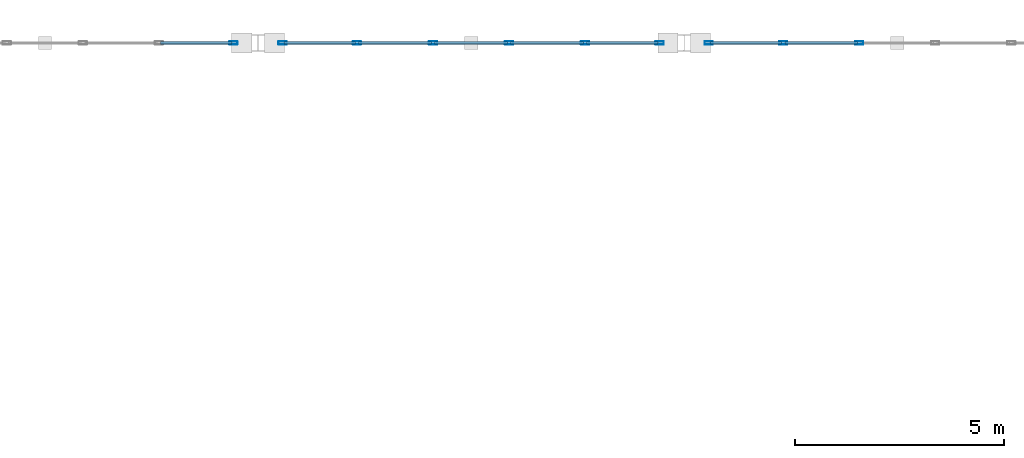
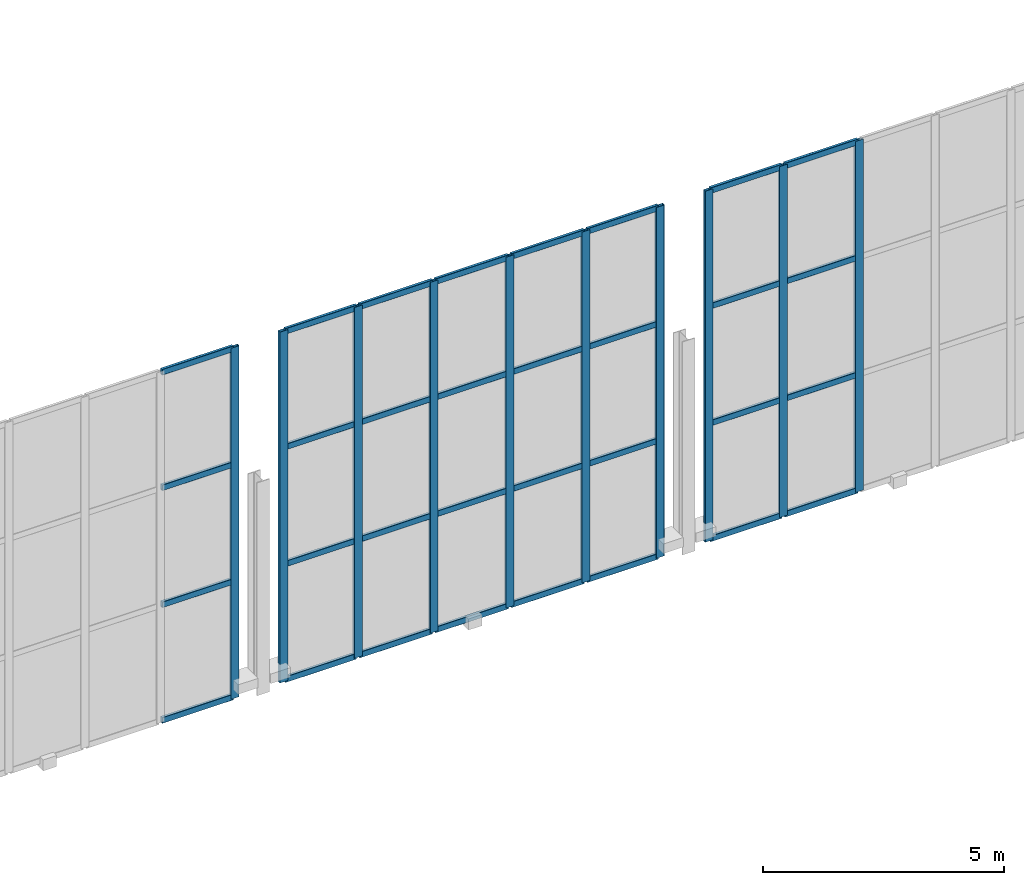
# One storey, part 98 of 175: 42 members, 3 elements without a shape of their own.
"""IFC4 building model written with IfcOpenShell, lengths in metres."""

from ifc_helpers import new_model, si_unit, direction, frame, origin, origin_2d, place, context, subcontext, project, spatial, hollow_rectangle, extrude, material, material_profile, profile_set, type_object, element, aggregate, save


model = new_model("IFC4")

# Units and contexts
model_context = context("Model", 3, precision=1e-05, world=origin(), true_north=direction((0.0, 1.0)))
body_context = subcontext(model_context, "Body", "Model", "MODEL_VIEW")
ifc_project = project(units=[si_unit("LENGTHUNIT", "METRE"), si_unit("AREAUNIT", "SQUARE_METRE"), si_unit("VOLUMEUNIT", "CUBIC_METRE"), si_unit("PLANEANGLEUNIT", "RADIAN"), si_unit("MASSUNIT", "GRAM", prefix="KILO")], contexts=[model_context])

# Site, building, storey
site_placement = place(None, origin())
site = spatial("IfcSite", under=ifc_project, at=site_placement, CompositionType="ELEMENT")
building_placement = place(site_placement, origin())
building = spatial("IfcBuilding", under=site, at=building_placement, Name="Brelvane Convention Centre", CompositionType="ELEMENT")
storey_placement = place(building_placement, frame((0.0, 0.0, 5.39990234375)))
storey = spatial("IfcBuildingStorey", under=building, at=storey_placement, Name="L01", CompositionType="ELEMENT", Elevation=5.39990234375)

# Curtain wall, member
ifc_material_1 = material(Name="Anodised Aluminium Alloy 6063-T6", Category="aluminium")
curtain_wall_type = type_object("IfcCurtainWallType", Name="Curtain Wall CW-BALL", PredefinedType="USERDEFINED", material=ifc_material_1)
curtain_wall_1_placement = place(storey_placement, origin())
curtain_wall_1 = element("IfcCurtainWall", 1, at=curtain_wall_1_placement, inside=storey, type_object=curtain_wall_type, Name="Curtain Wall CW-BALL L01-V3N-CW-L01-2", ObjectType="UNITISED", PredefinedType="USERDEFINED")
ifc_material_2 = material(Name="Anodised Aluminium Alloy 6063-T6", Category="aluminium")
ifc_material_profile_1 = material_profile(ifc_material_2, hollow_rectangle(XDim=0.074951171875, YDim=0.199951171875, WallThickness=0.0048828125, InnerFilletRadius=0.0048828125, OuterFilletRadius=0.010009765625, at=origin_2d()), Name="ALU-M 200x75x5.0")
ifc_profile_set_1 = profile_set([ifc_material_profile_1], Name="Anodised Aluminium Alloy 6063-T6")
member_type_1 = type_object("IfcMemberType", Name="Curtain Mullion CW-M2", PredefinedType="MULLION", material=ifc_profile_set_1)
member_1_placement = place(storey_placement, frame((193.21240234375, 144.0, 0.0), z_axis=(0.0, 0.0, 1.0), x_axis=(0.0, 1.0, 0.0)))
member_1 = element("IfcMember", 2, at=member_1_placement, type_object=member_type_1, Name="CW-BALL mullion 6", PredefinedType="MULLION", context=body_context, shape_type="SweptSolid", body=[
    extrude(hollow_rectangle(XDim=0.074951171875, YDim=0.199951171875, WallThickness=0.0048828125, InnerFilletRadius=0.0048828125, OuterFilletRadius=0.010009765625, at=origin_2d()), origin(), (0.0, 0.0, 1.0), 8.900146484375),
])

# Curtain wall, members
curtain_wall_2_placement = place(storey_placement, origin())
curtain_wall_2 = element("IfcCurtainWall", 3, at=curtain_wall_2_placement, inside=storey, type_object=curtain_wall_type, Name="Curtain Wall CW-BALL L01-V3N-CW-L01-3", ObjectType="UNITISED", PredefinedType="USERDEFINED")
member_2_placement = place(storey_placement, frame((194.387451171875, 144.0, 0.0), z_axis=(0.0, 0.0, 1.0), x_axis=(0.0, 1.0, 0.0)))
member_2 = element("IfcMember", 4, at=member_2_placement, type_object=member_type_1, Name="CW-BALL mullion 1", PredefinedType="MULLION", context=body_context, shape_type="SweptSolid", body=[
    extrude(hollow_rectangle(XDim=0.074951171875, YDim=0.199951171875, WallThickness=0.0048828125, InnerFilletRadius=0.0048828125, OuterFilletRadius=0.010009765625, at=origin_2d()), origin(), (0.0, 0.0, 1.0), 8.900146484375),
])
member_3_placement = place(storey_placement, frame((196.169921875, 144.0, 0.0), z_axis=(0.0, 0.0, 1.0), x_axis=(0.0, 1.0, 0.0)))
member_3 = element("IfcMember", 5, at=member_3_placement, type_object=member_type_1, Name="CW-BALL mullion 2", PredefinedType="MULLION", context=body_context, shape_type="SweptSolid", body=[
    extrude(hollow_rectangle(XDim=0.074951171875, YDim=0.199951171875, WallThickness=0.0048828125, InnerFilletRadius=0.0048828125, OuterFilletRadius=0.010009765625, at=origin_2d()), origin(), (0.0, 0.0, 1.0), 8.900146484375),
])
member_4_placement = place(storey_placement, frame((197.989990234375, 144.0, 0.0), z_axis=(0.0, 0.0, 1.0), x_axis=(0.0, 1.0, 0.0)))
member_4 = element("IfcMember", 6, at=member_4_placement, type_object=member_type_1, Name="CW-BALL mullion 3", PredefinedType="MULLION", context=body_context, shape_type="SweptSolid", body=[
    extrude(hollow_rectangle(XDim=0.074951171875, YDim=0.199951171875, WallThickness=0.0048828125, InnerFilletRadius=0.0048828125, OuterFilletRadius=0.010009765625, at=origin_2d()), origin(), (0.0, 0.0, 1.0), 8.900146484375),
])
member_5_placement = place(storey_placement, frame((199.81005859375, 144.0, 0.0), z_axis=(0.0, 0.0, 1.0), x_axis=(0.0, 1.0, 0.0)))
member_5 = element("IfcMember", 7, at=member_5_placement, type_object=member_type_1, Name="CW-BALL mullion 4", PredefinedType="MULLION", context=body_context, shape_type="SweptSolid", body=[
    extrude(hollow_rectangle(XDim=0.074951171875, YDim=0.199951171875, WallThickness=0.0048828125, InnerFilletRadius=0.0048828125, OuterFilletRadius=0.010009765625, at=origin_2d()), origin(), (0.0, 0.0, 1.0), 8.900146484375),
])
member_6_placement = place(storey_placement, frame((201.6298828125, 144.0, 0.0), z_axis=(0.0, 0.0, 1.0), x_axis=(0.0, 1.0, 0.0)))
member_6 = element("IfcMember", 8, at=member_6_placement, type_object=member_type_1, Name="CW-BALL mullion 5", PredefinedType="MULLION", context=body_context, shape_type="SweptSolid", body=[
    extrude(hollow_rectangle(XDim=0.074951171875, YDim=0.199951171875, WallThickness=0.0048828125, InnerFilletRadius=0.0048828125, OuterFilletRadius=0.010009765625, at=origin_2d()), origin(), (0.0, 0.0, 1.0), 8.900146484375),
])
member_7_placement = place(storey_placement, frame((203.41259765625, 144.0, 0.0), z_axis=(0.0, 0.0, 1.0), x_axis=(0.0, 1.0, 0.0)))
member_7 = element("IfcMember", 9, at=member_7_placement, type_object=member_type_1, Name="CW-BALL mullion 6", PredefinedType="MULLION", context=body_context, shape_type="SweptSolid", body=[
    extrude(hollow_rectangle(XDim=0.074951171875, YDim=0.199951171875, WallThickness=0.0048828125, InnerFilletRadius=0.0048828125, OuterFilletRadius=0.010009765625, at=origin_2d()), origin(), (0.0, 0.0, 1.0), 8.900146484375),
])

curtain_wall_3_placement = place(storey_placement, origin())
curtain_wall_3 = element("IfcCurtainWall", 10, at=curtain_wall_3_placement, inside=storey, type_object=curtain_wall_type, Name="Curtain Wall CW-BALL L01-V3N-CW-L01-4", ObjectType="UNITISED", PredefinedType="USERDEFINED")
member_8_placement = place(storey_placement, frame((204.58740234375, 144.0, 0.0), z_axis=(0.0, 0.0, 1.0), x_axis=(0.0, 1.0, 0.0)))
member_8 = element("IfcMember", 11, at=member_8_placement, type_object=member_type_1, Name="CW-BALL mullion 1", PredefinedType="MULLION", context=body_context, shape_type="SweptSolid", body=[
    extrude(hollow_rectangle(XDim=0.074951171875, YDim=0.199951171875, WallThickness=0.0048828125, InnerFilletRadius=0.0048828125, OuterFilletRadius=0.010009765625, at=origin_2d()), origin(), (0.0, 0.0, 1.0), 8.900146484375),
])
member_9_placement = place(storey_placement, frame((206.3701171875, 144.0, 0.0), z_axis=(0.0, 0.0, 1.0), x_axis=(0.0, 1.0, 0.0)))
member_9 = element("IfcMember", 12, at=member_9_placement, type_object=member_type_1, Name="CW-BALL mullion 2", PredefinedType="MULLION", context=body_context, shape_type="SweptSolid", body=[
    extrude(hollow_rectangle(XDim=0.074951171875, YDim=0.199951171875, WallThickness=0.0048828125, InnerFilletRadius=0.0048828125, OuterFilletRadius=0.010009765625, at=origin_2d()), origin(), (0.0, 0.0, 1.0), 8.900146484375),
])
member_10_placement = place(storey_placement, frame((208.18994140625, 144.0, 0.0), z_axis=(0.0, 0.0, 1.0), x_axis=(0.0, 1.0, 0.0)))
member_10 = element("IfcMember", 13, at=member_10_placement, type_object=member_type_1, Name="CW-BALL mullion 3", PredefinedType="MULLION", context=body_context, shape_type="SweptSolid", body=[
    extrude(hollow_rectangle(XDim=0.074951171875, YDim=0.199951171875, WallThickness=0.0048828125, InnerFilletRadius=0.0048828125, OuterFilletRadius=0.010009765625, at=origin_2d()), origin(), (0.0, 0.0, 1.0), 8.900146484375),
])

# Member
ifc_material_3 = material(Name="Anodised Aluminium Alloy 6063-T6", Category="aluminium")
ifc_material_profile_2 = material_profile(ifc_material_3, hollow_rectangle(XDim=0.070068359375, YDim=0.14990234375, WallThickness=0.00439453125, InnerFilletRadius=0.00439453125, OuterFilletRadius=0.009033203125, at=origin_2d()), Name="ALU-T 150x70x4.5")
ifc_profile_set_2 = profile_set([ifc_material_profile_2], Name="Anodised Aluminium Alloy 6063-T6")
member_type_2 = type_object("IfcMemberType", Name="Curtain Transom CW-T2", PredefinedType="USERDEFINED", material=ifc_profile_set_2)
member_11_placement = place(storey_placement, frame((191.467529296875, 144.0, 0.03515625), z_axis=(1.0, 0.0, 0.0), x_axis=(0.0, 1.0, 0.0)))
member_11 = element("IfcMember", 14, at=member_11_placement, type_object=member_type_2, Name="CW-BALL transom 5.1", ObjectType="TRANSOM", PredefinedType="USERDEFINED", context=body_context, shape_type="SweptSolid", body=[
    extrude(hollow_rectangle(XDim=0.070068359375, YDim=0.14990234375, WallThickness=0.00439453125, InnerFilletRadius=0.00439453125, OuterFilletRadius=0.009033203125, at=origin_2d()), origin(), (0.0, 0.0, 1.0), 1.70751953125),
])

member_12_placement = place(storey_placement, frame((191.467529296875, 144.0, 2.966796875), z_axis=(1.0, 0.0, 0.0), x_axis=(0.0, 1.0, 0.0)))
member_12 = element("IfcMember", 15, at=member_12_placement, type_object=member_type_2, Name="CW-BALL transom 5.2", ObjectType="TRANSOM", PredefinedType="USERDEFINED", context=body_context, shape_type="SweptSolid", body=[
    extrude(hollow_rectangle(XDim=0.070068359375, YDim=0.14990234375, WallThickness=0.00439453125, InnerFilletRadius=0.00439453125, OuterFilletRadius=0.009033203125, at=origin_2d()), origin(), (0.0, 0.0, 1.0), 1.70751953125),
])

member_13_placement = place(storey_placement, frame((191.467529296875, 144.0, 5.933349609375), z_axis=(1.0, 0.0, 0.0), x_axis=(0.0, 1.0, 0.0)))
member_13 = element("IfcMember", 16, at=member_13_placement, type_object=member_type_2, Name="CW-BALL transom 5.3", ObjectType="TRANSOM", PredefinedType="USERDEFINED", context=body_context, shape_type="SweptSolid", body=[
    extrude(hollow_rectangle(XDim=0.070068359375, YDim=0.14990234375, WallThickness=0.00439453125, InnerFilletRadius=0.00439453125, OuterFilletRadius=0.009033203125, at=origin_2d()), origin(), (0.0, 0.0, 1.0), 1.70751953125),
])

member_14_placement = place(storey_placement, frame((191.467529296875, 144.0, 8.864990234375), z_axis=(1.0, 0.0, 0.0), x_axis=(0.0, 1.0, 0.0)))
member_14 = element("IfcMember", 17, at=member_14_placement, type_object=member_type_2, Name="CW-BALL transom 5.4", ObjectType="TRANSOM", PredefinedType="USERDEFINED", context=body_context, shape_type="SweptSolid", body=[
    extrude(hollow_rectangle(XDim=0.070068359375, YDim=0.14990234375, WallThickness=0.00439453125, InnerFilletRadius=0.00439453125, OuterFilletRadius=0.009033203125, at=origin_2d()), origin(), (0.0, 0.0, 1.0), 1.70751953125),
])

aggregate(curtain_wall_1, [member_1, member_11, member_12, member_13, member_14])

member_15_placement = place(storey_placement, frame((194.425048828125, 144.0, 0.03515625), z_axis=(1.0, 0.0, 0.0), x_axis=(0.0, 1.0, 0.0)))
member_15 = element("IfcMember", 18, at=member_15_placement, type_object=member_type_2, Name="CW-BALL transom 1.1", ObjectType="TRANSOM", PredefinedType="USERDEFINED", context=body_context, shape_type="SweptSolid", body=[
    extrude(hollow_rectangle(XDim=0.070068359375, YDim=0.14990234375, WallThickness=0.00439453125, InnerFilletRadius=0.00439453125, OuterFilletRadius=0.009033203125, at=origin_2d()), origin(), (0.0, 0.0, 1.0), 1.70751953125),
])

member_16_placement = place(storey_placement, frame((194.425048828125, 144.0, 2.966796875), z_axis=(1.0, 0.0, 0.0), x_axis=(0.0, 1.0, 0.0)))
member_16 = element("IfcMember", 19, at=member_16_placement, type_object=member_type_2, Name="CW-BALL transom 1.2", ObjectType="TRANSOM", PredefinedType="USERDEFINED", context=body_context, shape_type="SweptSolid", body=[
    extrude(hollow_rectangle(XDim=0.070068359375, YDim=0.14990234375, WallThickness=0.00439453125, InnerFilletRadius=0.00439453125, OuterFilletRadius=0.009033203125, at=origin_2d()), origin(), (0.0, 0.0, 1.0), 1.70751953125),
])

member_17_placement = place(storey_placement, frame((194.425048828125, 144.0, 5.933349609375), z_axis=(1.0, 0.0, 0.0), x_axis=(0.0, 1.0, 0.0)))
member_17 = element("IfcMember", 20, at=member_17_placement, type_object=member_type_2, Name="CW-BALL transom 1.3", ObjectType="TRANSOM", PredefinedType="USERDEFINED", context=body_context, shape_type="SweptSolid", body=[
    extrude(hollow_rectangle(XDim=0.070068359375, YDim=0.14990234375, WallThickness=0.00439453125, InnerFilletRadius=0.00439453125, OuterFilletRadius=0.009033203125, at=origin_2d()), origin(), (0.0, 0.0, 1.0), 1.70751953125),
])

member_18_placement = place(storey_placement, frame((194.425048828125, 144.0, 8.864990234375), z_axis=(1.0, 0.0, 0.0), x_axis=(0.0, 1.0, 0.0)))
member_18 = element("IfcMember", 21, at=member_18_placement, type_object=member_type_2, Name="CW-BALL transom 1.4", ObjectType="TRANSOM", PredefinedType="USERDEFINED", context=body_context, shape_type="SweptSolid", body=[
    extrude(hollow_rectangle(XDim=0.070068359375, YDim=0.14990234375, WallThickness=0.00439453125, InnerFilletRadius=0.00439453125, OuterFilletRadius=0.009033203125, at=origin_2d()), origin(), (0.0, 0.0, 1.0), 1.70751953125),
])

member_19_placement = place(storey_placement, frame((196.20751953125, 144.0, 0.03515625), z_axis=(1.0, 0.0, 0.0), x_axis=(0.0, 1.0, 0.0)))
member_19 = element("IfcMember", 22, at=member_19_placement, type_object=member_type_2, Name="CW-BALL transom 2.1", ObjectType="TRANSOM", PredefinedType="USERDEFINED", context=body_context, shape_type="SweptSolid", body=[
    extrude(hollow_rectangle(XDim=0.070068359375, YDim=0.14990234375, WallThickness=0.00439453125, InnerFilletRadius=0.00439453125, OuterFilletRadius=0.009033203125, at=origin_2d()), origin(), (0.0, 0.0, 1.0), 1.744873046875),
])

member_20_placement = place(storey_placement, frame((196.20751953125, 144.0, 2.966796875), z_axis=(1.0, 0.0, 0.0), x_axis=(0.0, 1.0, 0.0)))
member_20 = element("IfcMember", 23, at=member_20_placement, type_object=member_type_2, Name="CW-BALL transom 2.2", ObjectType="TRANSOM", PredefinedType="USERDEFINED", context=body_context, shape_type="SweptSolid", body=[
    extrude(hollow_rectangle(XDim=0.070068359375, YDim=0.14990234375, WallThickness=0.00439453125, InnerFilletRadius=0.00439453125, OuterFilletRadius=0.009033203125, at=origin_2d()), origin(), (0.0, 0.0, 1.0), 1.744873046875),
])

member_21_placement = place(storey_placement, frame((196.20751953125, 144.0, 5.933349609375), z_axis=(1.0, 0.0, 0.0), x_axis=(0.0, 1.0, 0.0)))
member_21 = element("IfcMember", 24, at=member_21_placement, type_object=member_type_2, Name="CW-BALL transom 2.3", ObjectType="TRANSOM", PredefinedType="USERDEFINED", context=body_context, shape_type="SweptSolid", body=[
    extrude(hollow_rectangle(XDim=0.070068359375, YDim=0.14990234375, WallThickness=0.00439453125, InnerFilletRadius=0.00439453125, OuterFilletRadius=0.009033203125, at=origin_2d()), origin(), (0.0, 0.0, 1.0), 1.744873046875),
])

member_22_placement = place(storey_placement, frame((196.20751953125, 144.0, 8.864990234375), z_axis=(1.0, 0.0, 0.0), x_axis=(0.0, 1.0, 0.0)))
member_22 = element("IfcMember", 25, at=member_22_placement, type_object=member_type_2, Name="CW-BALL transom 2.4", ObjectType="TRANSOM", PredefinedType="USERDEFINED", context=body_context, shape_type="SweptSolid", body=[
    extrude(hollow_rectangle(XDim=0.070068359375, YDim=0.14990234375, WallThickness=0.00439453125, InnerFilletRadius=0.00439453125, OuterFilletRadius=0.009033203125, at=origin_2d()), origin(), (0.0, 0.0, 1.0), 1.744873046875),
])

member_23_placement = place(storey_placement, frame((198.027587890625, 144.0, 0.03515625), z_axis=(1.0, 0.0, 0.0), x_axis=(0.0, 1.0, 0.0)))
member_23 = element("IfcMember", 26, at=member_23_placement, type_object=member_type_2, Name="CW-BALL transom 3.1", ObjectType="TRANSOM", PredefinedType="USERDEFINED", context=body_context, shape_type="SweptSolid", body=[
    extrude(hollow_rectangle(XDim=0.070068359375, YDim=0.14990234375, WallThickness=0.00439453125, InnerFilletRadius=0.00439453125, OuterFilletRadius=0.009033203125, at=origin_2d()), origin(), (0.0, 0.0, 1.0), 1.744873046875),
])

member_24_placement = place(storey_placement, frame((198.027587890625, 144.0, 2.966796875), z_axis=(1.0, 0.0, 0.0), x_axis=(0.0, 1.0, 0.0)))
member_24 = element("IfcMember", 27, at=member_24_placement, type_object=member_type_2, Name="CW-BALL transom 3.2", ObjectType="TRANSOM", PredefinedType="USERDEFINED", context=body_context, shape_type="SweptSolid", body=[
    extrude(hollow_rectangle(XDim=0.070068359375, YDim=0.14990234375, WallThickness=0.00439453125, InnerFilletRadius=0.00439453125, OuterFilletRadius=0.009033203125, at=origin_2d()), origin(), (0.0, 0.0, 1.0), 1.744873046875),
])

member_25_placement = place(storey_placement, frame((198.027587890625, 144.0, 5.933349609375), z_axis=(1.0, 0.0, 0.0), x_axis=(0.0, 1.0, 0.0)))
member_25 = element("IfcMember", 28, at=member_25_placement, type_object=member_type_2, Name="CW-BALL transom 3.3", ObjectType="TRANSOM", PredefinedType="USERDEFINED", context=body_context, shape_type="SweptSolid", body=[
    extrude(hollow_rectangle(XDim=0.070068359375, YDim=0.14990234375, WallThickness=0.00439453125, InnerFilletRadius=0.00439453125, OuterFilletRadius=0.009033203125, at=origin_2d()), origin(), (0.0, 0.0, 1.0), 1.744873046875),
])

member_26_placement = place(storey_placement, frame((198.027587890625, 144.0, 8.864990234375), z_axis=(1.0, 0.0, 0.0), x_axis=(0.0, 1.0, 0.0)))
member_26 = element("IfcMember", 29, at=member_26_placement, type_object=member_type_2, Name="CW-BALL transom 3.4", ObjectType="TRANSOM", PredefinedType="USERDEFINED", context=body_context, shape_type="SweptSolid", body=[
    extrude(hollow_rectangle(XDim=0.070068359375, YDim=0.14990234375, WallThickness=0.00439453125, InnerFilletRadius=0.00439453125, OuterFilletRadius=0.009033203125, at=origin_2d()), origin(), (0.0, 0.0, 1.0), 1.744873046875),
])

member_27_placement = place(storey_placement, frame((199.847412109375, 144.0, 0.03515625), z_axis=(1.0, 0.0, 0.0), x_axis=(0.0, 1.0, 0.0)))
member_27 = element("IfcMember", 30, at=member_27_placement, type_object=member_type_2, Name="CW-BALL transom 4.1", ObjectType="TRANSOM", PredefinedType="USERDEFINED", context=body_context, shape_type="SweptSolid", body=[
    extrude(hollow_rectangle(XDim=0.070068359375, YDim=0.14990234375, WallThickness=0.00439453125, InnerFilletRadius=0.00439453125, OuterFilletRadius=0.009033203125, at=origin_2d()), origin(), (0.0, 0.0, 1.0), 1.7451171875),
])

member_28_placement = place(storey_placement, frame((199.847412109375, 144.0, 2.966796875), z_axis=(1.0, 0.0, 0.0), x_axis=(0.0, 1.0, 0.0)))
member_28 = element("IfcMember", 31, at=member_28_placement, type_object=member_type_2, Name="CW-BALL transom 4.2", ObjectType="TRANSOM", PredefinedType="USERDEFINED", context=body_context, shape_type="SweptSolid", body=[
    extrude(hollow_rectangle(XDim=0.070068359375, YDim=0.14990234375, WallThickness=0.00439453125, InnerFilletRadius=0.00439453125, OuterFilletRadius=0.009033203125, at=origin_2d()), origin(), (0.0, 0.0, 1.0), 1.7451171875),
])

member_29_placement = place(storey_placement, frame((199.847412109375, 144.0, 5.933349609375), z_axis=(1.0, 0.0, 0.0), x_axis=(0.0, 1.0, 0.0)))
member_29 = element("IfcMember", 32, at=member_29_placement, type_object=member_type_2, Name="CW-BALL transom 4.3", ObjectType="TRANSOM", PredefinedType="USERDEFINED", context=body_context, shape_type="SweptSolid", body=[
    extrude(hollow_rectangle(XDim=0.070068359375, YDim=0.14990234375, WallThickness=0.00439453125, InnerFilletRadius=0.00439453125, OuterFilletRadius=0.009033203125, at=origin_2d()), origin(), (0.0, 0.0, 1.0), 1.7451171875),
])

member_30_placement = place(storey_placement, frame((199.847412109375, 144.0, 8.864990234375), z_axis=(1.0, 0.0, 0.0), x_axis=(0.0, 1.0, 0.0)))
member_30 = element("IfcMember", 33, at=member_30_placement, type_object=member_type_2, Name="CW-BALL transom 4.4", ObjectType="TRANSOM", PredefinedType="USERDEFINED", context=body_context, shape_type="SweptSolid", body=[
    extrude(hollow_rectangle(XDim=0.070068359375, YDim=0.14990234375, WallThickness=0.00439453125, InnerFilletRadius=0.00439453125, OuterFilletRadius=0.009033203125, at=origin_2d()), origin(), (0.0, 0.0, 1.0), 1.7451171875),
])

member_31_placement = place(storey_placement, frame((201.66748046875, 144.0, 0.03515625), z_axis=(1.0, 0.0, 0.0), x_axis=(0.0, 1.0, 0.0)))
member_31 = element("IfcMember", 34, at=member_31_placement, type_object=member_type_2, Name="CW-BALL transom 5.1", ObjectType="TRANSOM", PredefinedType="USERDEFINED", context=body_context, shape_type="SweptSolid", body=[
    extrude(hollow_rectangle(XDim=0.070068359375, YDim=0.14990234375, WallThickness=0.00439453125, InnerFilletRadius=0.00439453125, OuterFilletRadius=0.009033203125, at=origin_2d()), origin(), (0.0, 0.0, 1.0), 1.70751953125),
])

member_32_placement = place(storey_placement, frame((201.66748046875, 144.0, 2.966796875), z_axis=(1.0, 0.0, 0.0), x_axis=(0.0, 1.0, 0.0)))
member_32 = element("IfcMember", 35, at=member_32_placement, type_object=member_type_2, Name="CW-BALL transom 5.2", ObjectType="TRANSOM", PredefinedType="USERDEFINED", context=body_context, shape_type="SweptSolid", body=[
    extrude(hollow_rectangle(XDim=0.070068359375, YDim=0.14990234375, WallThickness=0.00439453125, InnerFilletRadius=0.00439453125, OuterFilletRadius=0.009033203125, at=origin_2d()), origin(), (0.0, 0.0, 1.0), 1.70751953125),
])

member_33_placement = place(storey_placement, frame((201.66748046875, 144.0, 5.933349609375), z_axis=(1.0, 0.0, 0.0), x_axis=(0.0, 1.0, 0.0)))
member_33 = element("IfcMember", 36, at=member_33_placement, type_object=member_type_2, Name="CW-BALL transom 5.3", ObjectType="TRANSOM", PredefinedType="USERDEFINED", context=body_context, shape_type="SweptSolid", body=[
    extrude(hollow_rectangle(XDim=0.070068359375, YDim=0.14990234375, WallThickness=0.00439453125, InnerFilletRadius=0.00439453125, OuterFilletRadius=0.009033203125, at=origin_2d()), origin(), (0.0, 0.0, 1.0), 1.70751953125),
])

member_34_placement = place(storey_placement, frame((201.66748046875, 144.0, 8.864990234375), z_axis=(1.0, 0.0, 0.0), x_axis=(0.0, 1.0, 0.0)))
member_34 = element("IfcMember", 37, at=member_34_placement, type_object=member_type_2, Name="CW-BALL transom 5.4", ObjectType="TRANSOM", PredefinedType="USERDEFINED", context=body_context, shape_type="SweptSolid", body=[
    extrude(hollow_rectangle(XDim=0.070068359375, YDim=0.14990234375, WallThickness=0.00439453125, InnerFilletRadius=0.00439453125, OuterFilletRadius=0.009033203125, at=origin_2d()), origin(), (0.0, 0.0, 1.0), 1.70751953125),
])

aggregate(curtain_wall_2, [member_2, member_3, member_4, member_5, member_6, member_7, member_15, member_16, member_17, member_18, member_19, member_20, member_21, member_22, member_23, member_24, member_25, member_26, member_27, member_28, member_29, member_30, member_31, member_32, member_33, member_34])

member_35_placement = place(storey_placement, frame((204.625, 144.0, 0.03515625), z_axis=(1.0, 0.0, 0.0), x_axis=(0.0, 1.0, 0.0)))
member_35 = element("IfcMember", 38, at=member_35_placement, type_object=member_type_2, Name="CW-BALL transom 1.1", ObjectType="TRANSOM", PredefinedType="USERDEFINED", context=body_context, shape_type="SweptSolid", body=[
    extrude(hollow_rectangle(XDim=0.070068359375, YDim=0.14990234375, WallThickness=0.00439453125, InnerFilletRadius=0.00439453125, OuterFilletRadius=0.009033203125, at=origin_2d()), origin(), (0.0, 0.0, 1.0), 1.70751953125),
])

member_36_placement = place(storey_placement, frame((204.625, 144.0, 2.966796875), z_axis=(1.0, 0.0, 0.0), x_axis=(0.0, 1.0, 0.0)))
member_36 = element("IfcMember", 39, at=member_36_placement, type_object=member_type_2, Name="CW-BALL transom 1.2", ObjectType="TRANSOM", PredefinedType="USERDEFINED", context=body_context, shape_type="SweptSolid", body=[
    extrude(hollow_rectangle(XDim=0.070068359375, YDim=0.14990234375, WallThickness=0.00439453125, InnerFilletRadius=0.00439453125, OuterFilletRadius=0.009033203125, at=origin_2d()), origin(), (0.0, 0.0, 1.0), 1.70751953125),
])

member_37_placement = place(storey_placement, frame((204.625, 144.0, 5.933349609375), z_axis=(1.0, 0.0, 0.0), x_axis=(0.0, 1.0, 0.0)))
member_37 = element("IfcMember", 40, at=member_37_placement, type_object=member_type_2, Name="CW-BALL transom 1.3", ObjectType="TRANSOM", PredefinedType="USERDEFINED", context=body_context, shape_type="SweptSolid", body=[
    extrude(hollow_rectangle(XDim=0.070068359375, YDim=0.14990234375, WallThickness=0.00439453125, InnerFilletRadius=0.00439453125, OuterFilletRadius=0.009033203125, at=origin_2d()), origin(), (0.0, 0.0, 1.0), 1.70751953125),
])

member_38_placement = place(storey_placement, frame((204.625, 144.0, 8.864990234375), z_axis=(1.0, 0.0, 0.0), x_axis=(0.0, 1.0, 0.0)))
member_38 = element("IfcMember", 41, at=member_38_placement, type_object=member_type_2, Name="CW-BALL transom 1.4", ObjectType="TRANSOM", PredefinedType="USERDEFINED", context=body_context, shape_type="SweptSolid", body=[
    extrude(hollow_rectangle(XDim=0.070068359375, YDim=0.14990234375, WallThickness=0.00439453125, InnerFilletRadius=0.00439453125, OuterFilletRadius=0.009033203125, at=origin_2d()), origin(), (0.0, 0.0, 1.0), 1.70751953125),
])

member_39_placement = place(storey_placement, frame((206.407470703125, 144.0, 0.03515625), z_axis=(1.0, 0.0, 0.0), x_axis=(0.0, 1.0, 0.0)))
member_39 = element("IfcMember", 42, at=member_39_placement, type_object=member_type_2, Name="CW-BALL transom 2.1", ObjectType="TRANSOM", PredefinedType="USERDEFINED", context=body_context, shape_type="SweptSolid", body=[
    extrude(hollow_rectangle(XDim=0.070068359375, YDim=0.14990234375, WallThickness=0.00439453125, InnerFilletRadius=0.00439453125, OuterFilletRadius=0.009033203125, at=origin_2d()), origin(), (0.0, 0.0, 1.0), 1.7451171875),
])

member_40_placement = place(storey_placement, frame((206.407470703125, 144.0, 2.966796875), z_axis=(1.0, 0.0, 0.0), x_axis=(0.0, 1.0, 0.0)))
member_40 = element("IfcMember", 43, at=member_40_placement, type_object=member_type_2, Name="CW-BALL transom 2.2", ObjectType="TRANSOM", PredefinedType="USERDEFINED", context=body_context, shape_type="SweptSolid", body=[
    extrude(hollow_rectangle(XDim=0.070068359375, YDim=0.14990234375, WallThickness=0.00439453125, InnerFilletRadius=0.00439453125, OuterFilletRadius=0.009033203125, at=origin_2d()), origin(), (0.0, 0.0, 1.0), 1.7451171875),
])

member_41_placement = place(storey_placement, frame((206.407470703125, 144.0, 5.933349609375), z_axis=(1.0, 0.0, 0.0), x_axis=(0.0, 1.0, 0.0)))
member_41 = element("IfcMember", 44, at=member_41_placement, type_object=member_type_2, Name="CW-BALL transom 2.3", ObjectType="TRANSOM", PredefinedType="USERDEFINED", context=body_context, shape_type="SweptSolid", body=[
    extrude(hollow_rectangle(XDim=0.070068359375, YDim=0.14990234375, WallThickness=0.00439453125, InnerFilletRadius=0.00439453125, OuterFilletRadius=0.009033203125, at=origin_2d()), origin(), (0.0, 0.0, 1.0), 1.7451171875),
])

member_42_placement = place(storey_placement, frame((206.407470703125, 144.0, 8.864990234375), z_axis=(1.0, 0.0, 0.0), x_axis=(0.0, 1.0, 0.0)))
member_42 = element("IfcMember", 45, at=member_42_placement, type_object=member_type_2, Name="CW-BALL transom 2.4", ObjectType="TRANSOM", PredefinedType="USERDEFINED", context=body_context, shape_type="SweptSolid", body=[
    extrude(hollow_rectangle(XDim=0.070068359375, YDim=0.14990234375, WallThickness=0.00439453125, InnerFilletRadius=0.00439453125, OuterFilletRadius=0.009033203125, at=origin_2d()), origin(), (0.0, 0.0, 1.0), 1.7451171875),
])

aggregate(curtain_wall_3, [member_8, member_9, member_10, member_35, member_36, member_37, member_38, member_39, member_40, member_41, member_42])

save(model, "model.ifc")
